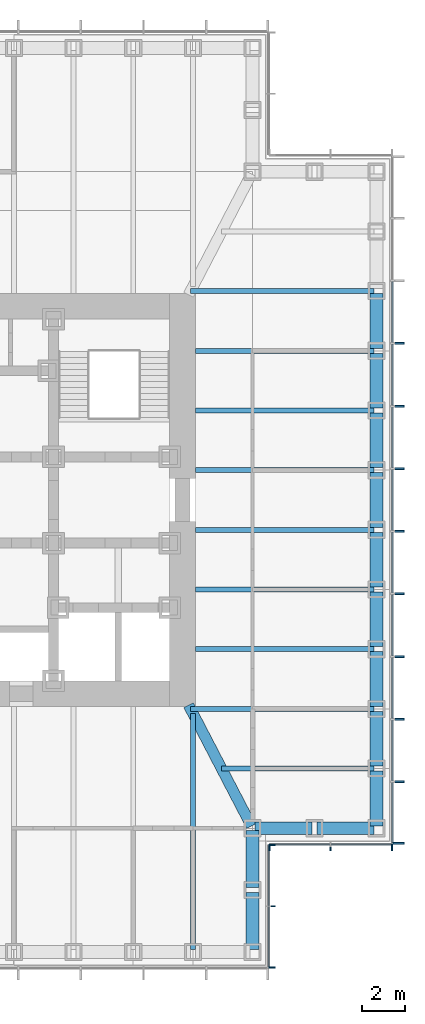
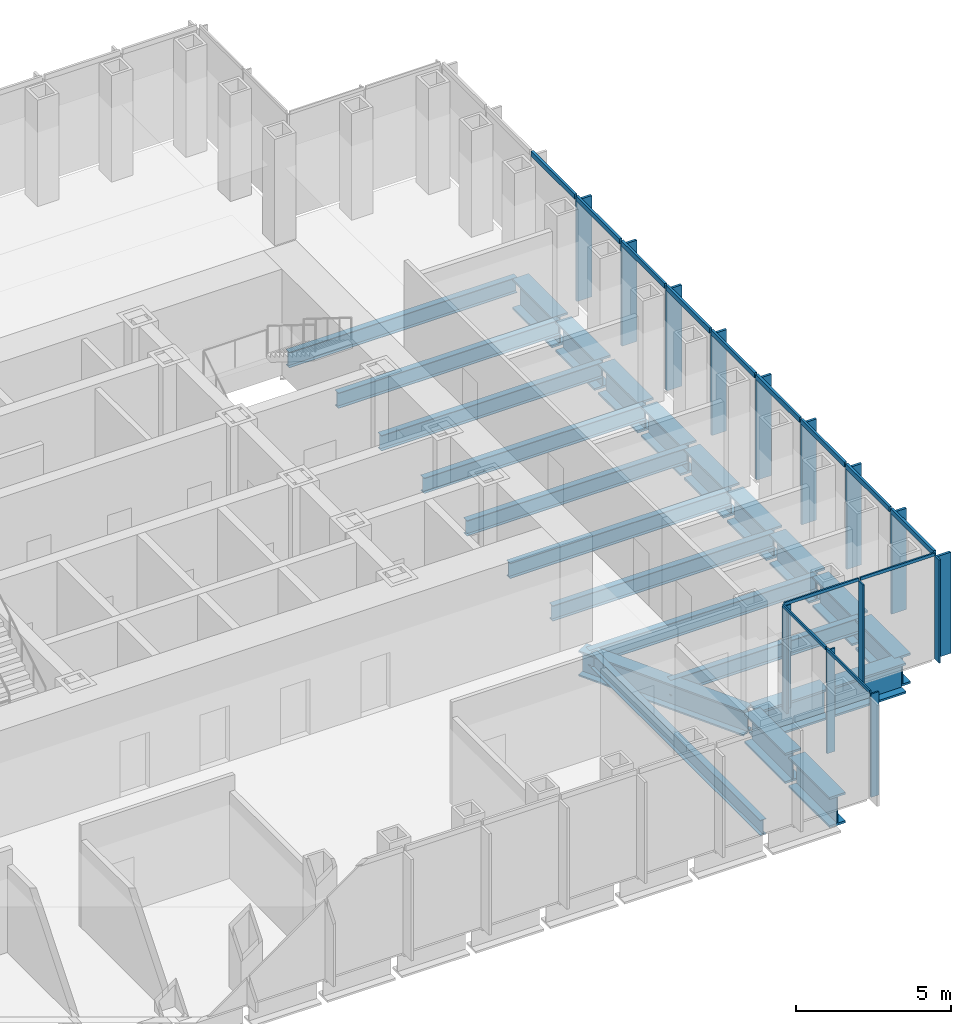
# One storey, part 4 of 16: 28 members, 24 beams, 3 elements without a shape of their own.
"""IFC4 building model written with IfcOpenShell, lengths in metres."""

import ifcopenshell
import ifcopenshell.guid

model = None  # the IFC model being written
_history = None  # IfcOwnerHistory: only IFC2X3 demands one
_inside = {}  # id of a spatial element -> (the spatial element, [elements in it])
_under = {}  # id of a project, library or spatial element -> (it, [spatial elements below it])
_declared = {}  # id of a project -> (the project, [libraries it declares])
_typed = {}  # id of a type object -> (the type object, [elements of that type])
_made_of = {}  # id of a material, layer set ... -> (it, [elements and type objects made of it])


def new_model(schema):
    """Start an empty IFC model of exactly this schema.

    Asked for "IFC4X3", IfcOpenShell would pick the latest addendum, in which some entities
    have other attributes; the version numbers below select the first issue.
    IFC2X3 requires an IfcOwnerHistory on every rooted entity: one is made here for all.
    """
    global model, _history
    if schema == "IFC4X3":
        model = ifcopenshell.file(schema_version=(4, 3, 0, 0))
    else:
        model = ifcopenshell.file(schema=schema)
    _inside.clear()
    _under.clear()
    _declared.clear()
    _typed.clear()
    _made_of.clear()
    _history = None
    if model.schema == "IFC2X3":
        org = make("IfcOrganization", Name="unknown")
        user = make(
            "IfcPersonAndOrganization",
            ThePerson=make("IfcPerson", FamilyName="unknown"),
            TheOrganization=org,
        )
        app = make(
            "IfcApplication",
            ApplicationDeveloper=org,
            Version="unknown",
            ApplicationFullName="unknown",
            ApplicationIdentifier="unknown",
        )
        _history = make(
            "IfcOwnerHistory",
            OwningUser=user,
            OwningApplication=app,
            ChangeAction="ADDED",
            CreationDate=0,
        )
    return model


def make(cls, **values):
    """One entity of the class cls with the attributes given. An attribute that is None is left unset."""
    return model.create_entity(
        cls, **{name: value for name, value in values.items() if value is not None}
    )


def rooted(cls, **values):
    """An entity with a GlobalId (a new one), such as an element, a storey or a relation."""
    return make(cls, GlobalId=ifcopenshell.guid.new(), OwnerHistory=_history, **values)


def si_unit(unit_type, name, prefix=None):
    """IfcSIUnit, for example si_unit("LENGTHUNIT", "METRE", prefix="MILLI")."""
    return make("IfcSIUnit", UnitType=unit_type, Prefix=prefix, Name=name)


def assignment(units):
    """IfcUnitAssignment: the units of a project."""
    return None if units is None else make("IfcUnitAssignment", Units=units)


def point(xyz):
    """IfcCartesianPoint."""
    return None if xyz is None else make("IfcCartesianPoint", Coordinates=xyz)


def direction(xyz):
    """IfcDirection."""
    return None if xyz is None else make("IfcDirection", DirectionRatios=xyz)


def frame(location, z_axis=None, x_axis=None):
    """IfcAxis2Placement3D, a coordinate frame: its origin and axes. An axis left out is left unset."""
    return make(
        "IfcAxis2Placement3D",
        Location=point(location),
        Axis=direction(z_axis),
        RefDirection=direction(x_axis),
    )


def frame_2d(location, x_axis=None):
    """IfcAxis2Placement2D, a coordinate frame in the plane: its origin and x axis."""
    return make(
        "IfcAxis2Placement2D", Location=point(location), RefDirection=direction(x_axis)
    )


def origin():
    """The frame at (0, 0, 0) with its axes left unset."""
    return frame((0.0, 0.0, 0.0))


def origin_2d():
    """The frame at (0, 0) in the plane with its x axis left unset."""
    return frame_2d((0.0, 0.0))


def place(relative_to, where):
    """IfcLocalPlacement: puts the frame where relative to a parent placement (None: the world)."""
    return make(
        "IfcLocalPlacement", PlacementRelTo=relative_to, RelativePlacement=where
    )


def context(
    kind, dimensions, precision=None, world=None, true_north=None, identifier=None
):
    """IfcGeometricRepresentationContext, for example the 3D "Model" context."""
    return make(
        "IfcGeometricRepresentationContext",
        ContextIdentifier=identifier,
        ContextType=kind,
        CoordinateSpaceDimension=dimensions,
        Precision=precision,
        WorldCoordinateSystem=world,
        TrueNorth=true_north,
    )


def subcontext(parent, identifier, kind, view, scale=None):
    """IfcGeometricRepresentationSubContext, for example "Body" below "Model"."""
    return make(
        "IfcGeometricRepresentationSubContext",
        ContextIdentifier=identifier,
        ContextType=kind,
        ParentContext=parent,
        TargetScale=scale,
        TargetView=view,
    )


def project(units=None, contexts=None):
    """IfcProject with its units and contexts."""
    return rooted(
        "IfcProject",
        Name="project",
        RepresentationContexts=contexts,
        UnitsInContext=assignment(units),
    )


def spatial(cls, under=None, at=None, **own):
    """A site, building, storey or space (cls), placed at a placement, below another one or the project."""
    s = rooted(cls, ObjectPlacement=at, **own)
    if under is not None:
        _under.setdefault(under.id(), (under, []))[1].append(s)
    return s


def profile(cls, at=None, kind="AREA", **sizes):
    """A parametric profile (cls). Its sizes go by their IFC names, for example OverallWidth=200.0."""
    return make(cls, ProfileType=kind, Position=at, **sizes)


def rectangle(**sizes):
    """IfcRectangleProfileDef."""
    return profile("IfcRectangleProfileDef", **sizes)


def i_section(**sizes):
    """IfcIShapeProfileDef."""
    return profile("IfcIShapeProfileDef", **sizes)


def extrude(swept, where, along, depth):
    """IfcExtrudedAreaSolid: the profile swept, set in the frame where, extruded along a direction by depth."""
    return make(
        "IfcExtrudedAreaSolid",
        SweptArea=swept,
        Position=where,
        ExtrudedDirection=direction(along),
        Depth=depth,
    )


def shape(context_of_items, identifier, shape_type, items):
    """IfcShapeRepresentation: the items that make up one representation, for example the "Body"."""
    return make(
        "IfcShapeRepresentation",
        ContextOfItems=context_of_items,
        RepresentationIdentifier=identifier,
        RepresentationType=shape_type,
        Items=items,
    )


def material(Name=None, Category=None):
    """IfcMaterial."""
    return make("IfcMaterial", Name=Name, Category=Category)


def material_profile(
    of_material, cross_section, Name=None, Category=None, Priority=None
):
    """IfcMaterialProfile: a cross section and its material."""
    return make(
        "IfcMaterialProfile",
        Name=Name,
        Material=of_material,
        Profile=cross_section,
        Priority=Priority,
        Category=Category,
    )


def profile_set(profiles, Name=None, composite=None):
    """IfcMaterialProfileSet."""
    return make(
        "IfcMaterialProfileSet",
        Name=Name,
        MaterialProfiles=profiles,
        CompositeProfile=composite,
    )


def made_of(thing, what):
    """Note that an element or type object is made of a material, layer set ...; save() writes the relation."""
    if what is not None:
        _made_of.setdefault(what.id(), (what, []))[1].append(thing)
    return thing


def type_object(cls, material=None, **own):
    """A type object (cls), such as IfcWallType, which elements share."""
    return made_of(rooted(cls, **own), material)


def element(
    cls,
    number,
    at=None,
    inside=None,
    cuts=None,
    type_object=None,
    material=None,
    context=None,
    identifier="Body",
    shape_type=None,
    held_by="IfcProductDefinitionShape",
    body=None,
    shapes=None,
    **own,
):
    """One element of the class cls, such as IfcWall. Its Tag is "e" and its number.

    at: its placement. inside: the storey or other place that contains it. cuts: it is an
    opening in that element (IfcRelVoidsElement). A single representation is given by context,
    identifier, shape_type and body (its items); several are given by shapes. held_by: the class
    of the entity that holds the representations. save() writes the other relations.
    """
    e = rooted(cls, Tag="e%d" % number, ObjectPlacement=at, **own)
    if body is not None:
        shapes = [shape(context, identifier, shape_type, body)]
    if shapes is not None:
        e.Representation = make(held_by, Representations=shapes)
    if inside is not None:
        _inside.setdefault(inside.id(), (inside, []))[1].append(e)
    if cuts is not None:
        rooted(
            "IfcRelVoidsElement", RelatingBuildingElement=cuts, RelatedOpeningElement=e
        )
    if type_object is not None:
        _typed.setdefault(type_object.id(), (type_object, []))[1].append(e)
    return made_of(e, material)


def aggregate(whole, parts):
    """IfcRelAggregates: a whole, such as a stair, and the parts it consists of."""
    return rooted("IfcRelAggregates", RelatingObject=whole, RelatedObjects=parts)


def save(model, path):
    """Write the relations noted so far, then the file.

    IfcRelAggregates (storeys below a building ...), IfcRelContainedInSpatialStructure (elements
    in a storey), IfcRelDefinesByType, IfcRelAssociatesMaterial and IfcRelDeclares: one each for
    every whole, place, type object, material and project.
    """
    for whole, parts in _under.values():
        aggregate(whole, parts)
    for where, things in _inside.values():
        rooted(
            "IfcRelContainedInSpatialStructure",
            RelatedElements=things,
            RelatingStructure=where,
        )
    for kind, things in _typed.values():
        rooted("IfcRelDefinesByType", RelatedObjects=things, RelatingType=kind)
    for what, things in _made_of.values():
        rooted("IfcRelAssociatesMaterial", RelatedObjects=things, RelatingMaterial=what)
    for by, libraries in _declared.values():
        rooted("IfcRelDeclares", RelatingContext=by, RelatedDefinitions=libraries)
    model.write(path)


model = new_model("IFC4")

# Units and contexts
model_context = context("Model", 3, precision=1e-05, world=origin(), true_north=direction((0.0, 1.0)))
body_context = subcontext(model_context, "Body", "Model", "MODEL_VIEW")
ifc_project = project(units=[si_unit("LENGTHUNIT", "METRE"), si_unit("AREAUNIT", "SQUARE_METRE"), si_unit("VOLUMEUNIT", "CUBIC_METRE"), si_unit("PLANEANGLEUNIT", "RADIAN"), si_unit("MASSUNIT", "GRAM", prefix="KILO")], contexts=[model_context])

# Site, building, storey
site_placement = place(None, origin())
site = spatial("IfcSite", under=ifc_project, at=site_placement, CompositionType="ELEMENT")
building_placement = place(site_placement, origin())
building = spatial("IfcBuilding", under=site, at=building_placement, Name="Daluyong Arena Tower", CompositionType="ELEMENT")
storey_placement = place(building_placement, frame((0.0, 0.0, 271.300048828125)))
storey = spatial("IfcBuildingStorey", under=building, at=storey_placement, Name="L61", CompositionType="ELEMENT", Elevation=271.300048828125)

# Curtain wall, members
ifc_material_1 = material(Name="Bronze anodised aluminium and glass", Category="aluminium")
curtain_wall_type_1 = type_object("IfcCurtainWallType", Name="Curtain wall CW4", PredefinedType="USERDEFINED", material=ifc_material_1)
curtain_wall_1_placement = place(storey_placement, origin())
curtain_wall_1 = element("IfcCurtainWall", 1, at=curtain_wall_1_placement, inside=storey, type_object=curtain_wall_type_1, Name="curtain wall L61 E", ObjectType="UNITISED CURTAIN WALL", PredefinedType="USERDEFINED")
ifc_material_2 = material(Name="Bronze anodised aluminium fin", Category="aluminium")
ifc_material_profile_1 = material_profile(ifc_material_2, rectangle(XDim=0.550048828125, YDim=0.090087890625, at=origin_2d()))
ifc_profile_set_1 = profile_set([ifc_material_profile_1], Name="Bronze anodised aluminium fin")
member_type_1 = type_object("IfcMemberType", Name="CW4 bronze fin 550x90", PredefinedType="MULLION", material=ifc_profile_set_1)
member_1_placement = place(storey_placement, frame((78.02490234375, 64.044921875, 0.0), z_axis=(0.0, 0.0, 1.0), x_axis=(-1.0, 0.0, 0.0)))
member_1 = element("IfcMember", 2, at=member_1_placement, type_object=member_type_1, Name="curtain wall L61 E fin 1", PredefinedType="MULLION", context=body_context, shape_type="SweptSolid", body=[
    extrude(rectangle(XDim=0.550048828125, YDim=0.090087890625, at=origin_2d()), origin(), (0.0, 0.0, 1.0), 4.0),
])
member_2_placement = place(storey_placement, frame((78.02490234375, 66.9091796875, 0.0), z_axis=(0.0, 0.0, 1.0), x_axis=(-1.0, 0.0, 0.0)))
member_2 = element("IfcMember", 3, at=member_2_placement, type_object=member_type_1, Name="curtain wall L61 E fin 2", PredefinedType="MULLION", context=body_context, shape_type="SweptSolid", body=[
    extrude(rectangle(XDim=0.550048828125, YDim=0.090087890625, at=origin_2d()), origin(), (0.0, 0.0, 1.0), 4.0),
])
member_3_placement = place(storey_placement, frame((78.02490234375, 69.818115234375, 0.0), z_axis=(0.0, 0.0, 1.0), x_axis=(-1.0, 0.0, 0.0)))
member_3 = element("IfcMember", 4, at=member_3_placement, type_object=member_type_1, Name="curtain wall L61 E fin 3", PredefinedType="MULLION", context=body_context, shape_type="SweptSolid", body=[
    extrude(rectangle(XDim=0.550048828125, YDim=0.090087890625, at=origin_2d()), origin(), (0.0, 0.0, 1.0), 4.0),
])
member_4_placement = place(storey_placement, frame((78.02490234375, 72.727294921875, 0.0), z_axis=(0.0, 0.0, 1.0), x_axis=(-1.0, 0.0, 0.0)))
member_4 = element("IfcMember", 5, at=member_4_placement, type_object=member_type_1, Name="curtain wall L61 E fin 4", PredefinedType="MULLION", context=body_context, shape_type="SweptSolid", body=[
    extrude(rectangle(XDim=0.550048828125, YDim=0.090087890625, at=origin_2d()), origin(), (0.0, 0.0, 1.0), 4.0),
])
member_5_placement = place(storey_placement, frame((78.02490234375, 75.636474609375, 0.0), z_axis=(0.0, 0.0, 1.0), x_axis=(-1.0, 0.0, 0.0)))
member_5 = element("IfcMember", 6, at=member_5_placement, type_object=member_type_1, Name="curtain wall L61 E fin 5", PredefinedType="MULLION", context=body_context, shape_type="SweptSolid", body=[
    extrude(rectangle(XDim=0.550048828125, YDim=0.090087890625, at=origin_2d()), origin(), (0.0, 0.0, 1.0), 4.0),
])
member_6_placement = place(storey_placement, frame((78.02490234375, 78.54541015625, 0.0), z_axis=(0.0, 0.0, 1.0), x_axis=(-1.0, 0.0, 0.0)))
member_6 = element("IfcMember", 7, at=member_6_placement, type_object=member_type_1, Name="curtain wall L61 E fin 6", PredefinedType="MULLION", context=body_context, shape_type="SweptSolid", body=[
    extrude(rectangle(XDim=0.550048828125, YDim=0.090087890625, at=origin_2d()), origin(), (0.0, 0.0, 1.0), 4.0),
])
member_7_placement = place(storey_placement, frame((78.02490234375, 81.45458984375, 0.0), z_axis=(0.0, 0.0, 1.0), x_axis=(-1.0, 0.0, 0.0)))
member_7 = element("IfcMember", 8, at=member_7_placement, type_object=member_type_1, Name="curtain wall L61 E fin 7", PredefinedType="MULLION", context=body_context, shape_type="SweptSolid", body=[
    extrude(rectangle(XDim=0.550048828125, YDim=0.090087890625, at=origin_2d()), origin(), (0.0, 0.0, 1.0), 4.0),
])
member_8_placement = place(storey_placement, frame((78.02490234375, 84.363525390625, 0.0), z_axis=(0.0, 0.0, 1.0), x_axis=(-1.0, 0.0, 0.0)))
member_8 = element("IfcMember", 9, at=member_8_placement, type_object=member_type_1, Name="curtain wall L61 E fin 8", PredefinedType="MULLION", context=body_context, shape_type="SweptSolid", body=[
    extrude(rectangle(XDim=0.550048828125, YDim=0.090087890625, at=origin_2d()), origin(), (0.0, 0.0, 1.0), 4.0),
])
member_9_placement = place(storey_placement, frame((78.02490234375, 87.272705078125, 0.0), z_axis=(0.0, 0.0, 1.0), x_axis=(-1.0, 0.0, 0.0)))
member_9 = element("IfcMember", 10, at=member_9_placement, type_object=member_type_1, Name="curtain wall L61 E fin 9", PredefinedType="MULLION", context=body_context, shape_type="SweptSolid", body=[
    extrude(rectangle(XDim=0.550048828125, YDim=0.090087890625, at=origin_2d()), origin(), (0.0, 0.0, 1.0), 4.0),
])
ifc_material_3 = material(Name="Bronze anodised aluminium", Category="aluminium")
ifc_material_profile_2 = material_profile(ifc_material_3, rectangle(XDim=0.090087890625, YDim=0.199951171875, at=origin_2d()))
ifc_profile_set_2 = profile_set([ifc_material_profile_2], Name="Bronze anodised aluminium")
member_type_2 = type_object("IfcMemberType", Name="CW4 stack transom 200x90", PredefinedType="USERDEFINED", material=ifc_profile_set_2)
member_10_placement = place(storey_placement, frame((77.75, 64.090087890625, 4.099853515625), z_axis=(0.0, 1.0, 0.0), x_axis=(-1.0, 0.0, 0.0)))
member_10 = element("IfcMember", 11, at=member_10_placement, type_object=member_type_2, Name="curtain wall L61 E transom 1", ObjectType="TRANSOM", PredefinedType="USERDEFINED", context=body_context, shape_type="SweptSolid", body=[
    extrude(rectangle(XDim=0.090087890625, YDim=0.199951171875, at=origin_2d()), origin(), (0.0, 0.0, 1.0), 2.77392578125),
])
member_11_placement = place(storey_placement, frame((77.75, 66.9541015625, 4.099853515625), z_axis=(0.0, 1.0, 0.0), x_axis=(-1.0, 0.0, 0.0)))
member_11 = element("IfcMember", 12, at=member_11_placement, type_object=member_type_2, Name="curtain wall L61 E transom 2", ObjectType="TRANSOM", PredefinedType="USERDEFINED", context=body_context, shape_type="SweptSolid", body=[
    extrude(rectangle(XDim=0.090087890625, YDim=0.199951171875, at=origin_2d()), origin(), (0.0, 0.0, 1.0), 2.819091796875),
])
member_12_placement = place(storey_placement, frame((77.75, 69.86328125, 4.099853515625), z_axis=(0.0, 1.0, 0.0), x_axis=(-1.0, 0.0, 0.0)))
member_12 = element("IfcMember", 13, at=member_12_placement, type_object=member_type_2, Name="curtain wall L61 E transom 3", ObjectType="TRANSOM", PredefinedType="USERDEFINED", context=body_context, shape_type="SweptSolid", body=[
    extrude(rectangle(XDim=0.090087890625, YDim=0.199951171875, at=origin_2d()), origin(), (0.0, 0.0, 1.0), 2.819091796875),
])
member_13_placement = place(storey_placement, frame((77.75, 72.772216796875, 4.099853515625), z_axis=(0.0, 1.0, 0.0), x_axis=(-1.0, 0.0, 0.0)))
member_13 = element("IfcMember", 14, at=member_13_placement, type_object=member_type_2, Name="curtain wall L61 E transom 4", ObjectType="TRANSOM", PredefinedType="USERDEFINED", context=body_context, shape_type="SweptSolid", body=[
    extrude(rectangle(XDim=0.090087890625, YDim=0.199951171875, at=origin_2d()), origin(), (0.0, 0.0, 1.0), 2.819091796875),
])
member_14_placement = place(storey_placement, frame((77.75, 75.681396484375, 4.099853515625), z_axis=(0.0, 1.0, 0.0), x_axis=(-1.0, 0.0, 0.0)))
member_14 = element("IfcMember", 15, at=member_14_placement, type_object=member_type_2, Name="curtain wall L61 E transom 5", ObjectType="TRANSOM", PredefinedType="USERDEFINED", context=body_context, shape_type="SweptSolid", body=[
    extrude(rectangle(XDim=0.090087890625, YDim=0.199951171875, at=origin_2d()), origin(), (0.0, 0.0, 1.0), 2.819091796875),
])
member_15_placement = place(storey_placement, frame((77.75, 78.590576171875, 4.099853515625), z_axis=(0.0, 1.0, 0.0), x_axis=(-1.0, 0.0, 0.0)))
member_15 = element("IfcMember", 16, at=member_15_placement, type_object=member_type_2, Name="curtain wall L61 E transom 6", ObjectType="TRANSOM", PredefinedType="USERDEFINED", context=body_context, shape_type="SweptSolid", body=[
    extrude(rectangle(XDim=0.090087890625, YDim=0.199951171875, at=origin_2d()), origin(), (0.0, 0.0, 1.0), 2.81884765625),
])
member_16_placement = place(storey_placement, frame((77.75, 81.49951171875, 4.099853515625), z_axis=(0.0, 1.0, 0.0), x_axis=(-1.0, 0.0, 0.0)))
member_16 = element("IfcMember", 17, at=member_16_placement, type_object=member_type_2, Name="curtain wall L61 E transom 7", ObjectType="TRANSOM", PredefinedType="USERDEFINED", context=body_context, shape_type="SweptSolid", body=[
    extrude(rectangle(XDim=0.090087890625, YDim=0.199951171875, at=origin_2d()), origin(), (0.0, 0.0, 1.0), 2.819091796875),
])
member_17_placement = place(storey_placement, frame((77.75, 84.40869140625, 4.099853515625), z_axis=(0.0, 1.0, 0.0), x_axis=(-1.0, 0.0, 0.0)))
member_17 = element("IfcMember", 18, at=member_17_placement, type_object=member_type_2, Name="curtain wall L61 E transom 8", ObjectType="TRANSOM", PredefinedType="USERDEFINED", context=body_context, shape_type="SweptSolid", body=[
    extrude(rectangle(XDim=0.090087890625, YDim=0.199951171875, at=origin_2d()), origin(), (0.0, 0.0, 1.0), 2.819091796875),
])
member_18_placement = place(storey_placement, frame((77.75, 87.317626953125, 4.099853515625), z_axis=(0.0, 1.0, 0.0), x_axis=(-1.0, 0.0, 0.0)))
member_18 = element("IfcMember", 19, at=member_18_placement, type_object=member_type_2, Name="curtain wall L61 E transom 9", ObjectType="TRANSOM", PredefinedType="USERDEFINED", context=body_context, shape_type="SweptSolid", body=[
    extrude(rectangle(XDim=0.090087890625, YDim=0.199951171875, at=origin_2d()), origin(), (0.0, 0.0, 1.0), 2.819091796875),
])
aggregate(curtain_wall_1, [member_1, member_2, member_3, member_4, member_5, member_6, member_7, member_8, member_9, member_10, member_11, member_12, member_13, member_14, member_15, member_16, member_17, member_18])

ifc_material_4 = material(Name="Bronze anodised aluminium and glass", Category="aluminium")
curtain_wall_type_2 = type_object("IfcCurtainWallType", Name="Curtain wall CW7", PredefinedType="USERDEFINED", material=ifc_material_4)
curtain_wall_2_placement = place(storey_placement, origin())
curtain_wall_2 = element("IfcCurtainWall", 20, at=curtain_wall_2_placement, inside=storey, type_object=curtain_wall_type_2, Name="curtain wall L61 SE-E", ObjectType="UNITISED CURTAIN WALL", PredefinedType="USERDEFINED")
ifc_material_5 = material(Name="Bronze anodised aluminium fin", Category="aluminium")
ifc_material_profile_3 = material_profile(ifc_material_5, rectangle(XDim=0.300048828125, YDim=0.06005859375, at=origin_2d()))
ifc_profile_set_3 = profile_set([ifc_material_profile_3], Name="Bronze anodised aluminium fin")
member_type_3 = type_object("IfcMemberType", Name="CW7 bronze fin 300x60", PredefinedType="MULLION", material=ifc_profile_set_3)
member_19_placement = place(storey_placement, frame((72.14990234375, 58.280029296875, 0.0), z_axis=(0.0, 0.0, 1.0), x_axis=(-1.0, 0.0, 0.0)))
member_19 = element("IfcMember", 21, at=member_19_placement, type_object=member_type_3, Name="curtain wall L61 SE-E fin 1", PredefinedType="MULLION", context=body_context, shape_type="SweptSolid", body=[
    extrude(rectangle(XDim=0.300048828125, YDim=0.06005859375, at=origin_2d()), origin(), (0.0, 0.0, 1.0), 4.079833984375),
])
member_20_placement = place(storey_placement, frame((72.14990234375, 61.125, 0.0), z_axis=(0.0, 0.0, 1.0), x_axis=(-1.0, 0.0, 0.0)))
member_20 = element("IfcMember", 22, at=member_20_placement, type_object=member_type_3, Name="curtain wall L61 SE-E fin 2", PredefinedType="MULLION", context=body_context, shape_type="SweptSolid", body=[
    extrude(rectangle(XDim=0.300048828125, YDim=0.06005859375, at=origin_2d()), origin(), (0.0, 0.0, 1.0), 4.079833984375),
])
member_21_placement = place(storey_placement, frame((72.14990234375, 63.969970703125, 0.0), z_axis=(0.0, 0.0, 1.0), x_axis=(-1.0, 0.0, 0.0)))
member_21 = element("IfcMember", 23, at=member_21_placement, type_object=member_type_3, Name="curtain wall L61 SE-E fin 3", PredefinedType="MULLION", context=body_context, shape_type="SweptSolid", body=[
    extrude(rectangle(XDim=0.300048828125, YDim=0.06005859375, at=origin_2d()), origin(), (0.0, 0.0, 1.0), 4.079833984375),
])

curtain_wall_3_placement = place(storey_placement, origin())
curtain_wall_3 = element("IfcCurtainWall", 24, at=curtain_wall_3_placement, inside=storey, type_object=curtain_wall_type_2, Name="curtain wall L61 SE-S", ObjectType="UNITISED CURTAIN WALL", PredefinedType="USERDEFINED")
member_22_placement = place(storey_placement, frame((72.030029296875, 63.85009765625, 0.0), z_axis=(0.0, 0.0, 1.0), x_axis=(0.0, 1.0, 0.0)))
member_22 = element("IfcMember", 25, at=member_22_placement, type_object=member_type_3, Name="curtain wall L61 SE-S fin 1", PredefinedType="MULLION", context=body_context, shape_type="SweptSolid", body=[
    extrude(rectangle(XDim=0.300048828125, YDim=0.06005859375, at=origin_2d()), origin(), (0.0, 0.0, 1.0), 4.079833984375),
])
member_23_placement = place(storey_placement, frame((74.875, 63.85009765625, 0.0), z_axis=(0.0, 0.0, 1.0), x_axis=(0.0, 1.0, 0.0)))
member_23 = element("IfcMember", 26, at=member_23_placement, type_object=member_type_3, Name="curtain wall L61 SE-S fin 2", PredefinedType="MULLION", context=body_context, shape_type="SweptSolid", body=[
    extrude(rectangle(XDim=0.300048828125, YDim=0.06005859375, at=origin_2d()), origin(), (0.0, 0.0, 1.0), 4.079833984375),
])
member_24_placement = place(storey_placement, frame((77.719970703125, 63.85009765625, 0.0), z_axis=(0.0, 0.0, 1.0), x_axis=(0.0, 1.0, 0.0)))
member_24 = element("IfcMember", 27, at=member_24_placement, type_object=member_type_3, Name="curtain wall L61 SE-S fin 3", PredefinedType="MULLION", context=body_context, shape_type="SweptSolid", body=[
    extrude(rectangle(XDim=0.300048828125, YDim=0.06005859375, at=origin_2d()), origin(), (0.0, 0.0, 1.0), 4.079833984375),
])

# Member
ifc_material_6 = material(Name="Bronze anodised aluminium", Category="aluminium")
ifc_material_profile_4 = material_profile(ifc_material_6, rectangle(XDim=0.06005859375, YDim=0.1201171875, at=origin_2d()))
ifc_profile_set_4 = profile_set([ifc_material_profile_4], Name="Bronze anodised aluminium")
member_type_4 = type_object("IfcMemberType", Name="CW7 stack transom 120x60", PredefinedType="USERDEFINED", material=ifc_profile_set_4)
member_25_placement = place(storey_placement, frame((72.0, 58.31005859375, 4.139892578125), z_axis=(0.0, 1.0, 0.0), x_axis=(-1.0, 0.0, 0.0)))
member_25 = element("IfcMember", 28, at=member_25_placement, type_object=member_type_4, Name="curtain wall L61 SE-E transom 1", ObjectType="TRANSOM", PredefinedType="USERDEFINED", context=body_context, shape_type="SweptSolid", body=[
    extrude(rectangle(XDim=0.06005859375, YDim=0.1201171875, at=origin_2d()), origin(), (0.0, 0.0, 1.0), 2.784912109375),
])

member_26_placement = place(storey_placement, frame((72.0, 61.155029296875, 4.139892578125), z_axis=(0.0, 1.0, 0.0), x_axis=(-1.0, 0.0, 0.0)))
member_26 = element("IfcMember", 29, at=member_26_placement, type_object=member_type_4, Name="curtain wall L61 SE-E transom 2", ObjectType="TRANSOM", PredefinedType="USERDEFINED", context=body_context, shape_type="SweptSolid", body=[
    extrude(rectangle(XDim=0.06005859375, YDim=0.1201171875, at=origin_2d()), origin(), (0.0, 0.0, 1.0), 2.784912109375),
])

aggregate(curtain_wall_2, [member_19, member_20, member_21, member_25, member_26])

member_27_placement = place(storey_placement, frame((72.06005859375, 64.0, 4.139892578125), z_axis=(1.0, 0.0, 0.0), x_axis=(0.0, 1.0, 0.0)))
member_27 = element("IfcMember", 30, at=member_27_placement, type_object=member_type_4, Name="curtain wall L61 SE-S transom 1", ObjectType="TRANSOM", PredefinedType="USERDEFINED", context=body_context, shape_type="SweptSolid", body=[
    extrude(rectangle(XDim=0.06005859375, YDim=0.1201171875, at=origin_2d()), origin(), (0.0, 0.0, 1.0), 2.784912109375),
])

member_28_placement = place(storey_placement, frame((74.905029296875, 64.0, 4.139892578125), z_axis=(1.0, 0.0, 0.0), x_axis=(0.0, 1.0, 0.0)))
member_28 = element("IfcMember", 31, at=member_28_placement, type_object=member_type_4, Name="curtain wall L61 SE-S transom 2", ObjectType="TRANSOM", PredefinedType="USERDEFINED", context=body_context, shape_type="SweptSolid", body=[
    extrude(rectangle(XDim=0.06005859375, YDim=0.1201171875, at=origin_2d()), origin(), (0.0, 0.0, 1.0), 2.784912109375),
])

aggregate(curtain_wall_3, [member_22, member_23, member_24, member_27, member_28])

# Beams
ifc_material_7 = material(Name="Steel ASTM A572 Grade 50", Category="steel")
ifc_material_profile_5 = material_profile(ifc_material_7, i_section(OverallWidth=0.5, OverallDepth=1.0, WebThickness=0.03, FlangeThickness=0.06, at=origin_2d()))
ifc_profile_set_5 = profile_set([ifc_material_profile_5], Name="Steel ASTM A572 Grade 50")
beam_type_1 = type_object("IfcBeamType", Name="Corner girder TB1000X500", PredefinedType="BEAM", material=ifc_profile_set_5)
beam_1_placement = place(storey_placement, frame((71.197021484375, 64.85205078125, -0.66015625), z_axis=(-0.461351522179, 0.887217432754, 0.0), x_axis=(-0.887217432754, -0.461351522179, 0.0)))
element("IfcBeam", 32, at=beam_1_placement, inside=storey, type_object=beam_type_1, Name="corner girder DG2", PredefinedType="BEAM", context=body_context, shape_type="SweptSolid", body=[
    extrude(i_section(OverallWidth=0.5, OverallDepth=1.0, WebThickness=0.03, FlangeThickness=0.06, at=origin_2d()), origin(), (0.0, 0.0, 1.0), 6.32958984375),
])
ifc_material_8 = material(Name="Steel ASTM A992 Grade 50", Category="steel")
ifc_material_profile_6 = material_profile(ifc_material_8, i_section(OverallWidth=0.22900390625, OverallDepth=0.612060546875, WebThickness=0.011962890625, FlangeThickness=0.01953125, at=origin_2d()))
ifc_profile_set_6 = profile_set([ifc_material_profile_6], Name="Steel ASTM A992 Grade 50")
beam_type_2 = type_object("IfcBeamType", Name="Floor beam W24X84", PredefinedType="BEAM", material=ifc_profile_set_6)
beam_2_placement = place(storey_placement, frame((68.477294921875, 59.114990234375, -0.466064453125), z_axis=(0.0, 1.0, 0.0), x_axis=(-1.0, 0.0, 0.0)))
element("IfcBeam", 33, at=beam_2_placement, inside=storey, type_object=beam_type_2, Name="floor beam FB3", PredefinedType="BEAM", context=body_context, shape_type="SweptSolid", body=[
    extrude(i_section(OverallWidth=0.22900390625, OverallDepth=0.612060546875, WebThickness=0.011962890625, FlangeThickness=0.01953125, at=origin_2d()), origin(), (0.0, 0.0, 1.0), 10.96728515625),
])
beam_3_placement = place(storey_placement, frame((76.885009765625, 67.522705078125, -0.466064453125), z_axis=(-1.0, 0.0, 0.0), x_axis=(0.0, -1.0, 0.0)))
element("IfcBeam", 34, at=beam_3_placement, inside=storey, type_object=beam_type_2, Name="floor beam FB3", PredefinedType="BEAM", context=body_context, shape_type="SweptSolid", body=[
    extrude(i_section(OverallWidth=0.22900390625, OverallDepth=0.612060546875, WebThickness=0.011962890625, FlangeThickness=0.01953125, at=origin_2d()), origin(), (0.0, 0.0, 1.0), 7.076904296875),
])
beam_4_placement = place(storey_placement, frame((76.885009765625, 70.29541015625, -0.466064453125), z_axis=(-1.0, 0.0, 0.0), x_axis=(0.0, -1.0, 0.0)))
element("IfcBeam", 35, at=beam_4_placement, inside=storey, type_object=beam_type_2, Name="floor beam FB3", PredefinedType="BEAM", context=body_context, shape_type="SweptSolid", body=[
    extrude(i_section(OverallWidth=0.22900390625, OverallDepth=0.612060546875, WebThickness=0.011962890625, FlangeThickness=0.01953125, at=origin_2d()), origin(), (0.0, 0.0, 1.0), 8.5185546875),
])
for number, where, z_axis, x_axis, name in (
    (36, (76.885009765625, 73.068115234375, -0.466064453125), (-1.0, 0.0, 0.0), (0.0, -1.0, 0.0), "floor beam FB3"),
    (37, (76.885009765625, 75.8408203125, -0.466064453125), (-1.0, 0.0, 0.0), (0.0, -1.0, 0.0), "floor beam FB3"),
    (38, (76.885009765625, 78.613525390625, -0.466064453125), (-1.0, 0.0, 0.0), (0.0, -1.0, 0.0), "floor beam FB3"),
    (39, (76.885009765625, 81.386474609375, -0.466064453125), (-1.0, 0.0, 0.0), (0.0, -1.0, 0.0), "floor beam FB3"),
    (40, (76.885009765625, 84.1591796875, -0.466064453125), (-1.0, 0.0, 0.0), (0.0, -1.0, 0.0), "floor beam FB3"),
    (41, (76.885009765625, 86.931884765625, -0.466064453125), (-1.0, 0.0, 0.0), (0.0, -1.0, 0.0), "floor beam FB3"),
):
    element("IfcBeam", number, at=place(storey_placement, frame(where, z_axis=z_axis, x_axis=x_axis)), inside=storey, type_object=beam_type_2, Name=name, PredefinedType="BEAM", context=body_context, shape_type="SweptSolid", body=[
        extrude(i_section(OverallWidth=0.22900390625, OverallDepth=0.612060546875, WebThickness=0.011962890625, FlangeThickness=0.01953125, at=origin_2d()), origin(), (0.0, 0.0, 1.0), 8.284912109375),
    ])
beam_5_placement = place(storey_placement, frame((76.885009765625, 89.70458984375, -0.466064453125), z_axis=(-1.0, 0.0, 0.0), x_axis=(0.0, -1.0, 0.0)))
element("IfcBeam", 42, at=beam_5_placement, inside=storey, type_object=beam_type_2, Name="floor beam FB3", PredefinedType="BEAM", context=body_context, shape_type="SweptSolid", body=[
    extrude(i_section(OverallWidth=0.22900390625, OverallDepth=0.612060546875, WebThickness=0.011962890625, FlangeThickness=0.01953125, at=origin_2d()), origin(), (0.0, 0.0, 1.0), 8.5185546875),
])
ifc_material_9 = material(Name="Steel ASTM A572 Grade 50", Category="steel")
ifc_material_profile_7 = material_profile(ifc_material_9, i_section(OverallWidth=0.60009765625, OverallDepth=1.199951171875, WebThickness=0.03, FlangeThickness=0.08, at=origin_2d()))
ifc_profile_set_7 = profile_set([ifc_material_profile_7], Name="Steel ASTM A572 Grade 50")
beam_type_3 = type_object("IfcBeamType", Name="Spandrel Z4 PG1200X600", PredefinedType="SPANDREL", material=ifc_profile_set_7)
for number, where, z_axis, x_axis, name in (
    (43, (71.25, 59.114990234375, -0.760009765625), (0.0, 1.0, 0.0), (-1.0, 0.0, 0.0), "spandrel z4 SB9"),
    (44, (71.25, 61.989990234375, -0.760009765625), (0.0, 1.0, 0.0), (-1.0, 0.0, 0.0), "spandrel z4 SB9"),
    (45, (71.364990234375, 64.75, -0.760009765625), (1.0, 0.0, 0.0), (0.0, 1.0, 0.0), "spandrel z4 SB9"),
    (46, (74.239990234375, 64.75, -0.760009765625), (1.0, 0.0, 0.0), (0.0, 1.0, 0.0), "spandrel z4 SB9"),
):
    element("IfcBeam", number, at=place(storey_placement, frame(where, z_axis=z_axis, x_axis=x_axis)), inside=storey, type_object=beam_type_3, Name=name, PredefinedType="SPANDREL", context=body_context, shape_type="SweptSolid", body=[
        extrude(i_section(OverallWidth=0.60009765625, OverallDepth=1.199951171875, WebThickness=0.03, FlangeThickness=0.08, at=origin_2d()), origin(), (0.0, 0.0, 1.0), 2.64501953125),
    ])
for number, where, z_axis, x_axis, name in (
    (47, (77.0, 64.864990234375, -0.760009765625), (0.0, 1.0, 0.0), (-1.0, 0.0, 0.0), "spandrel z4 SB9"),
    (48, (77.0, 67.6376953125, -0.760009765625), (0.0, 1.0, 0.0), (-1.0, 0.0, 0.0), "spandrel z4 SB9"),
    (49, (77.0, 70.410400390625, -0.760009765625), (0.0, 1.0, 0.0), (-1.0, 0.0, 0.0), "spandrel z4 SB9"),
    (50, (77.0, 73.18310546875, -0.760009765625), (0.0, 1.0, 0.0), (-1.0, 0.0, 0.0), "spandrel z4 SB9"),
    (51, (77.0, 75.955810546875, -0.760009765625), (0.0, 1.0, 0.0), (-1.0, 0.0, 0.0), "spandrel z4 SB9"),
):
    element("IfcBeam", number, at=place(storey_placement, frame(where, z_axis=z_axis, x_axis=x_axis)), inside=storey, type_object=beam_type_3, Name=name, PredefinedType="SPANDREL", context=body_context, shape_type="SweptSolid", body=[
        extrude(i_section(OverallWidth=0.60009765625, OverallDepth=1.199951171875, WebThickness=0.03, FlangeThickness=0.08, at=origin_2d()), origin(), (0.0, 0.0, 1.0), 2.542724609375),
    ])
beam_6_placement = place(storey_placement, frame((77.0, 78.728515625, -0.760009765625), z_axis=(0.0, 1.0, 0.0), x_axis=(-1.0, 0.0, 0.0)))
element("IfcBeam", 52, at=beam_6_placement, inside=storey, type_object=beam_type_3, Name="spandrel z4 SB9", PredefinedType="SPANDREL", context=body_context, shape_type="SweptSolid", body=[
    extrude(i_section(OverallWidth=0.60009765625, OverallDepth=1.199951171875, WebThickness=0.03, FlangeThickness=0.08, at=origin_2d()), origin(), (0.0, 0.0, 1.0), 2.54296875),
])
for number, where, z_axis, x_axis, name in (
    (53, (77.0, 81.50146484375, -0.760009765625), (0.0, 1.0, 0.0), (-1.0, 0.0, 0.0), "spandrel z4 SB9"),
    (54, (77.0, 84.274169921875, -0.760009765625), (0.0, 1.0, 0.0), (-1.0, 0.0, 0.0), "spandrel z4 SB9"),
    (55, (77.0, 87.046875, -0.760009765625), (0.0, 1.0, 0.0), (-1.0, 0.0, 0.0), "spandrel z4 SB9"),
):
    element("IfcBeam", number, at=place(storey_placement, frame(where, z_axis=z_axis, x_axis=x_axis)), inside=storey, type_object=beam_type_3, Name=name, PredefinedType="SPANDREL", context=body_context, shape_type="SweptSolid", body=[
        extrude(i_section(OverallWidth=0.60009765625, OverallDepth=1.199951171875, WebThickness=0.03, FlangeThickness=0.08, at=origin_2d()), origin(), (0.0, 0.0, 1.0), 2.542724609375),
    ])

save(model, "model.ifc")
